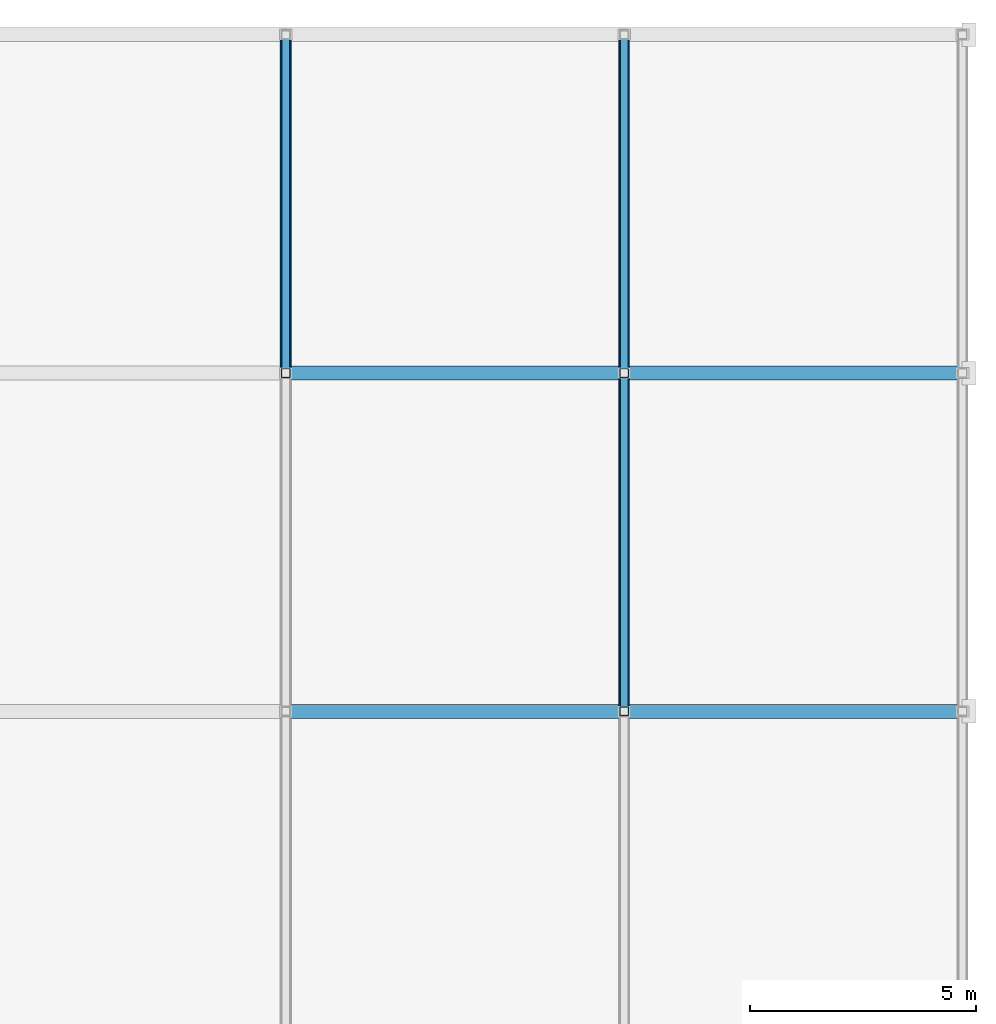
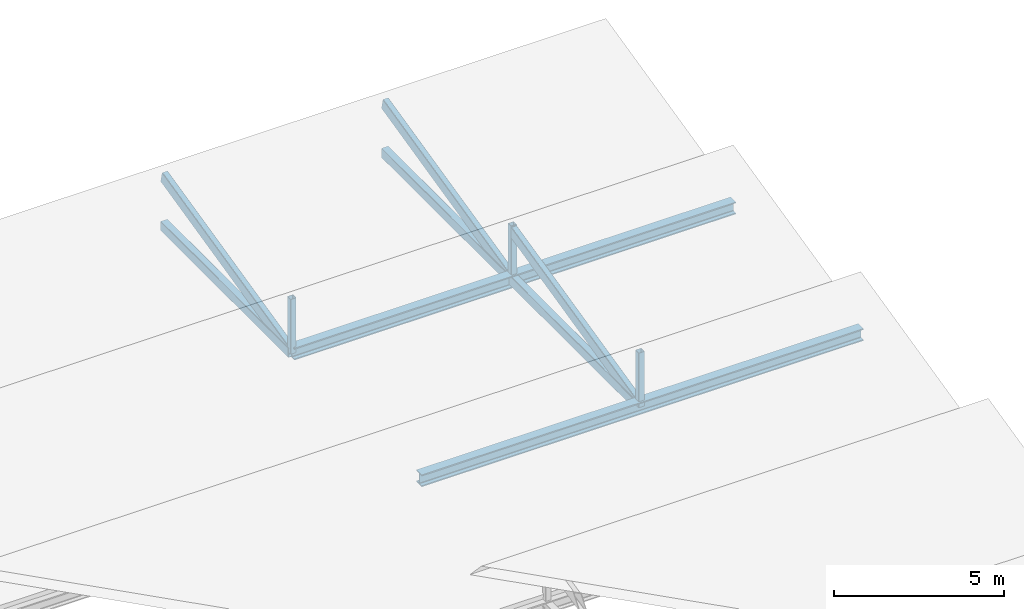
# One storey, part 45 of 82: 11 members.
"""IFC4 building model written with IfcOpenShell, lengths in metres."""

from ifc_helpers import new_model, si_unit, direction, frame, origin, origin_2d, place, context, subcontext, project, spatial, hollow_rectangle, i_section, extrude, material, material_profile, profile_set, type_object, element, save


model = new_model("IFC4")

# Units and contexts
model_context = context("Model", 3, precision=1e-05, world=origin(), true_north=direction((0.0, 1.0)))
body_context = subcontext(model_context, "Body", "Model", "MODEL_VIEW")
ifc_project = project(units=[si_unit("LENGTHUNIT", "METRE"), si_unit("AREAUNIT", "SQUARE_METRE"), si_unit("VOLUMEUNIT", "CUBIC_METRE"), si_unit("PLANEANGLEUNIT", "RADIAN"), si_unit("MASSUNIT", "GRAM", prefix="KILO")], contexts=[model_context])

# Site, building, storey
site_placement = place(None, origin())
site = spatial("IfcSite", under=ifc_project, at=site_placement, CompositionType="ELEMENT")
building_placement = place(site_placement, origin())
building = spatial("IfcBuilding", under=site, at=building_placement, Name="Qasida Concert Hall", CompositionType="ELEMENT")
storey_placement = place(building_placement, frame((0.0, 0.0, 17.10009765625)))
storey = spatial("IfcBuildingStorey", under=building, at=storey_placement, Name="L04", CompositionType="ELEMENT", Elevation=17.10009765625)

# Members
ifc_material = material(Name="Steel S355J2", Category="steel")
ifc_material_profile_1 = material_profile(ifc_material, i_section(OverallWidth=0.306884765625, OverallDepth=0.431884765625, WebThickness=0.02099609375, FlangeThickness=0.0400390625, FilletRadius=0.027099609375, at=origin_2d()), Name="HEM 400")
ifc_profile_set_1 = profile_set([ifc_material_profile_1], Name="Steel S355J2")
member_type_1 = type_object("IfcMemberType", Name="MB-CH3", PredefinedType="CHORD", material=ifc_profile_set_1)
for number, where, z_axis, x_axis, name in (
    (1, (150.0, 97.5, 0.0), (1.0, 0.0, 0.0), (0.0, 1.0, 0.0), "Roof truss sawtooth bottom chord V4T-008"),
    (2, (150.0, 105.0, 0.0), (1.0, 0.0, 0.0), (0.0, 1.0, 0.0), "Roof truss sawtooth bottom chord V4T-010"),
):
    element("IfcMember", number, at=place(storey_placement, frame(where, z_axis=z_axis, x_axis=x_axis)), inside=storey, type_object=member_type_1, Name=name, PredefinedType="CHORD", context=body_context, shape_type="SweptSolid", body=[
        extrude(i_section(OverallWidth=0.306884765625, OverallDepth=0.431884765625, WebThickness=0.02099609375, FlangeThickness=0.0400390625, FilletRadius=0.027099609375, at=origin_2d()), origin(), (0.0, 0.0, 1.0), 15.0),
    ])
ifc_material_profile_2 = material_profile(ifc_material, hollow_rectangle(XDim=0.199951171875, YDim=0.39990234375, WallThickness=0.01611328125, InnerFilletRadius=0.01611328125, OuterFilletRadius=0.031982421875, at=origin_2d()), Name="RHS 400x200x16")
ifc_profile_set_2 = profile_set([ifc_material_profile_2], Name="Steel S355J2")
member_type_2 = type_object("IfcMemberType", Name="MB-CH4", PredefinedType="CHORD", material=ifc_profile_set_2)
for number, where, z_axis, x_axis, name in (
    (3, (157.5, 97.5, 0.0), (0.0, 0.973841209742, 0.227229615606), (-1.0, 0.0, 0.0), "Roof truss sawtooth rafter V4R-080"),
    (4, (150.0, 105.0, 0.0), (0.0, 0.973841209742, 0.227229615606), (-1.0, 0.0, 0.0), "Roof truss sawtooth rafter V4R-095"),
    (5, (157.5, 105.0, 0.0), (0.0, 0.973841209742, 0.227229615606), (-1.0, 0.0, 0.0), "Roof truss sawtooth rafter V4R-098"),
):
    element("IfcMember", number, at=place(storey_placement, frame(where, z_axis=z_axis, x_axis=x_axis)), inside=storey, type_object=member_type_2, Name=name, PredefinedType="CHORD", context=body_context, shape_type="SweptSolid", body=[
        extrude(hollow_rectangle(XDim=0.199951171875, YDim=0.39990234375, WallThickness=0.01611328125, InnerFilletRadius=0.01611328125, OuterFilletRadius=0.031982421875, at=origin_2d()), origin(), (0.0, 0.0, 1.0), 7.701416015625),
    ])
ifc_material_profile_3 = material_profile(ifc_material, hollow_rectangle(XDim=0.25, YDim=0.35009765625, WallThickness=0.01611328125, InnerFilletRadius=0.01611328125, OuterFilletRadius=0.031982421875, at=origin_2d()), Name="RHS 350x250x16")
ifc_profile_set_3 = profile_set([ifc_material_profile_3], Name="Steel S355J2")
member_type_3 = type_object("IfcMemberType", Name="MB-CH5", PredefinedType="CHORD", material=ifc_profile_set_3)
for number, where, z_axis, x_axis, name in (
    (6, (157.5, 97.5, 0.0), (0.0, 1.0, 0.0), (-1.0, 0.0, 0.0), "Roof truss sawtooth tie V4B-079"),
    (7, (150.0, 105.0, 0.0), (0.0, 1.0, 0.0), (-1.0, 0.0, 0.0), "Roof truss sawtooth tie V4B-094"),
    (8, (157.5, 105.0, 0.0), (0.0, 1.0, 0.0), (-1.0, 0.0, 0.0), "Roof truss sawtooth tie V4B-097"),
):
    element("IfcMember", number, at=place(storey_placement, frame(where, z_axis=z_axis, x_axis=x_axis)), inside=storey, type_object=member_type_3, Name=name, PredefinedType="CHORD", context=body_context, shape_type="SweptSolid", body=[
        extrude(hollow_rectangle(XDim=0.25, YDim=0.35009765625, WallThickness=0.01611328125, InnerFilletRadius=0.01611328125, OuterFilletRadius=0.031982421875, at=origin_2d()), origin(), (0.0, 0.0, 1.0), 7.5),
    ])
ifc_material_profile_4 = material_profile(ifc_material, hollow_rectangle(XDim=0.199951171875, YDim=0.199951171875, WallThickness=0.010009765625, InnerFilletRadius=0.010009765625, OuterFilletRadius=0.02001953125, at=origin_2d()), Name="SHS 200x200x10")
ifc_profile_set_4 = profile_set([ifc_material_profile_4], Name="Steel S355J2")
member_type_4 = type_object("IfcMemberType", Name="MB-ST6", PredefinedType="STRUT", material=ifc_profile_set_4)
for number, where, z_axis, x_axis, name in (
    (9, (157.5, 97.5, 0.0), (0.0, 0.0, 1.0), (1.0, 0.0, 0.0), "Roof truss sawtooth post V4V-063"),
    (10, (150.0, 105.0, 0.0), (0.0, 0.0, 1.0), (1.0, 0.0, 0.0), "Roof truss sawtooth post V4V-078"),
    (11, (157.5, 105.0, 0.0), (0.0, 0.0, 1.0), (1.0, 0.0, 0.0), "Roof truss sawtooth post V4V-081"),
):
    element("IfcMember", number, at=place(storey_placement, frame(where, z_axis=z_axis, x_axis=x_axis)), inside=storey, type_object=member_type_4, Name=name, PredefinedType="STRUT", context=body_context, shape_type="SweptSolid", body=[
        extrude(hollow_rectangle(XDim=0.199951171875, YDim=0.199951171875, WallThickness=0.010009765625, InnerFilletRadius=0.010009765625, OuterFilletRadius=0.02001953125, at=origin_2d()), origin(), (0.0, 0.0, 1.0), 1.9599609375),
    ])

save(model, "model.ifc")
